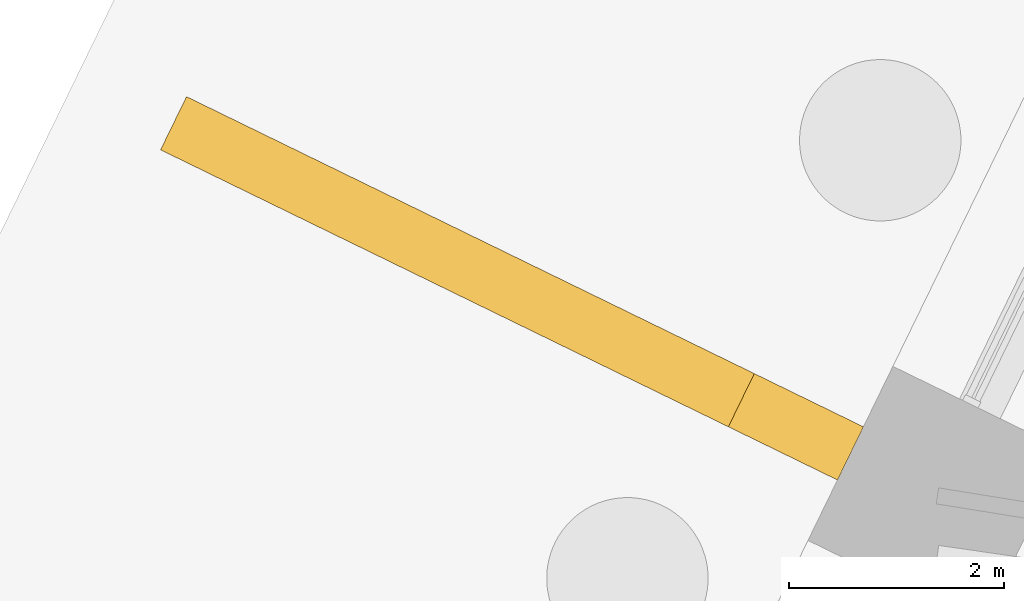
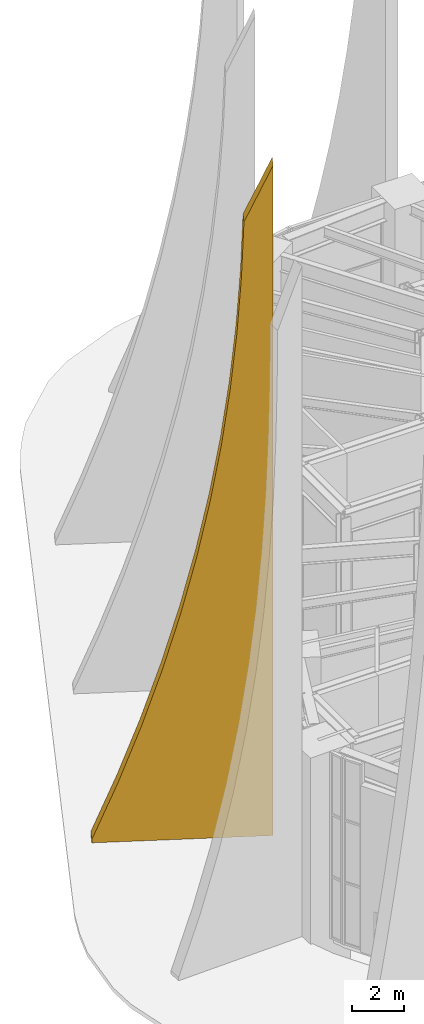
# One storey, part 35 of 43: 1 shading device.
"""IFC4 building model written with IfcOpenShell, lengths in metres."""

from ifc_helpers import new_model, si_unit, direction, frame, origin, place, context, subcontext, project, spatial, polyline, outline, extrude, material, layer, layer_set, type_object, element, save


model = new_model("IFC4")

# Units and contexts
model_context = context("Model", 3, precision=1e-05, world=origin(), true_north=direction((0.0, 1.0)))
body_context = subcontext(model_context, "Body", "Model", "MODEL_VIEW")
ifc_project = project(units=[si_unit("LENGTHUNIT", "METRE"), si_unit("AREAUNIT", "SQUARE_METRE"), si_unit("VOLUMEUNIT", "CUBIC_METRE"), si_unit("PLANEANGLEUNIT", "RADIAN"), si_unit("MASSUNIT", "GRAM", prefix="KILO")], contexts=[model_context])

# Site, building, storey
site_placement = place(None, origin())
site = spatial("IfcSite", under=ifc_project, at=site_placement, CompositionType="ELEMENT")
building_placement = place(site_placement, origin())
building = spatial("IfcBuilding", under=site, at=building_placement, Name="Tarnside Tower", CompositionType="ELEMENT")
storey_placement = place(building_placement, origin())
storey = spatial("IfcBuildingStorey", under=building, at=storey_placement, Name="L00", CompositionType="ELEMENT", Elevation=0.0)

# Shading device
ifc_material = material(Name="Concrete C50/60 white precast", Category="concrete")
ifc_layer = layer(ifc_material, 0.550048828125)
ifc_layer_set = layer_set([ifc_layer], Name="Flared precast fin root 7000")
shading_device_type = type_object("IfcShadingDeviceType", Name="Flared precast fin root 7000", PredefinedType="USERDEFINED", material=ifc_layer_set)
shading_device_placement = place(storey_placement, frame((-30.826904296875, 5.23046875, 0.0), z_axis=(0.438371146789, 0.898794046299, 0.0), x_axis=(-0.898794046299, 0.438371146789, 0.0)))
element("IfcShadingDevice", 1, at=shading_device_placement, inside=storey, type_object=shading_device_type, Name="Flared fin root M07", ObjectType="FIN", PredefinedType="USERDEFINED", context=body_context, shape_type="SweptSolid", body=[
    extrude(outline(polyline([(0.0, 0.0), (7.0, 0.0), (7.0, 0.14990234375), (5.99462890625, 2.762451171875), (5.089111328125, 5.375), (4.281494140625, 7.987548828125), (3.57080078125, 10.60009765625), (2.954833984375, 13.21240234375), (2.432373046875, 15.824951171875), (2.000732421875, 18.4375), (1.657958984375, 21.050048828125), (1.40087890625, 23.66259765625), (1.22607421875, 26.27490234375), (1.12841796875, 28.887451171875), (0.0, 31.5), (0.0, 0.0)])), frame((0.0, 0.0, -0.27490234375)), (0.0, 0.0, 1.0), 0.550048828125),
])

save(model, "model.ifc")
